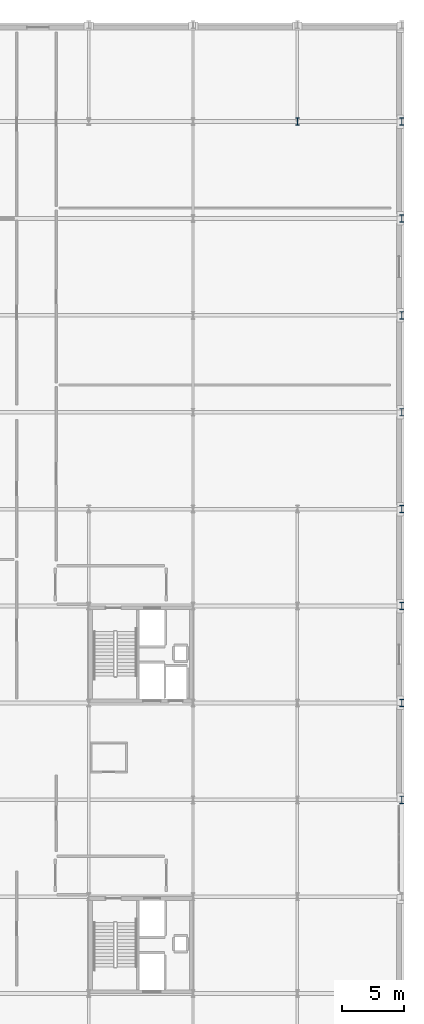
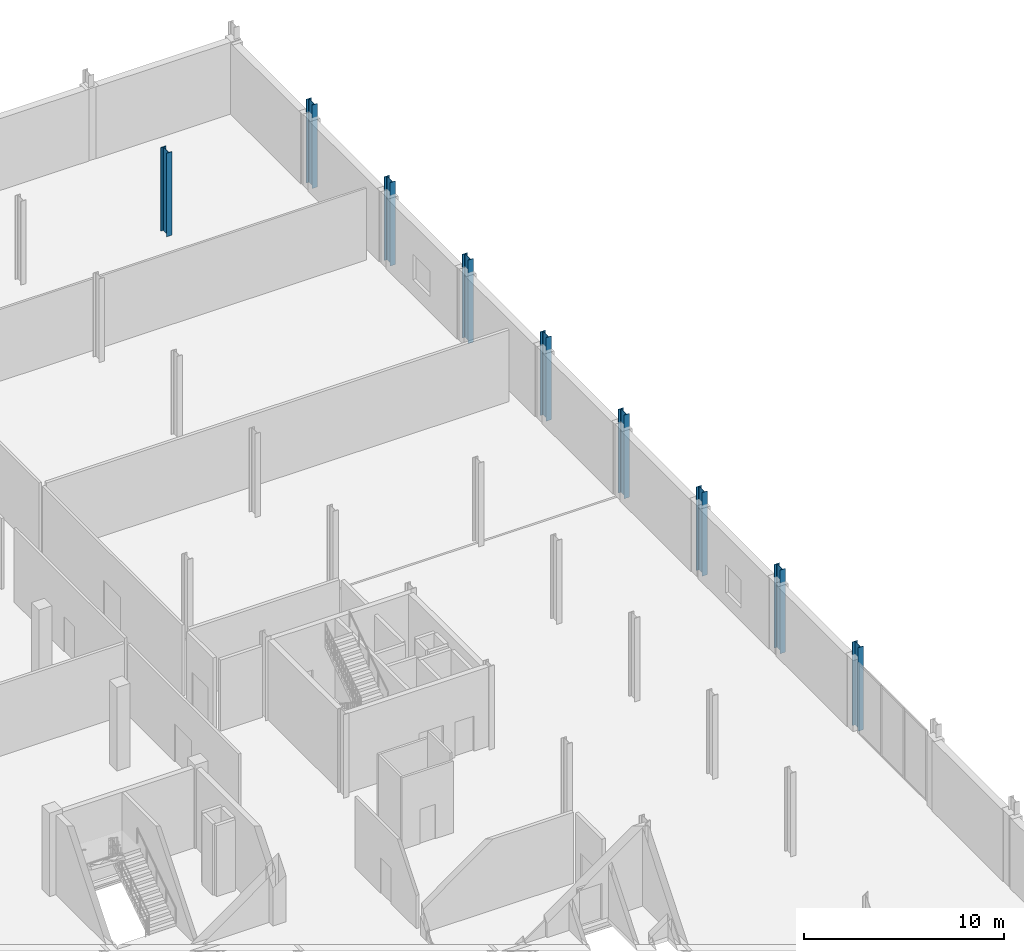
# One storey, part 24 of 105: 9 columns.
"""IFC4 building model written with IfcOpenShell, lengths in metres."""

from ifc_helpers import new_model, si_unit, direction, frame, origin, origin_2d, place, context, subcontext, project, spatial, i_section, extrude, material, material_profile, profile_set, type_object, element, save


model = new_model("IFC4")

# Units and contexts
model_context = context("Model", 3, precision=1e-05, world=origin(), true_north=direction((0.0, 1.0)))
body_context = subcontext(model_context, "Body", "Model", "MODEL_VIEW")
ifc_project = project(units=[si_unit("LENGTHUNIT", "METRE"), si_unit("AREAUNIT", "SQUARE_METRE"), si_unit("VOLUMEUNIT", "CUBIC_METRE"), si_unit("PLANEANGLEUNIT", "RADIAN"), si_unit("MASSUNIT", "GRAM", prefix="KILO")], contexts=[model_context])

# Site, building, storey
site_placement = place(None, origin())
site = spatial("IfcSite", under=ifc_project, at=site_placement, CompositionType="ELEMENT")
building_placement = place(site_placement, origin())
building = spatial("IfcBuilding", under=site, at=building_placement, Name="Nabrawat Pavilion Hospital", CompositionType="ELEMENT")
storey_placement = place(building_placement, frame((0.0, 0.0, 5.10009765625)))
storey = spatial("IfcBuildingStorey", under=building, at=storey_placement, Name="L01", CompositionType="ELEMENT", Elevation=5.10009765625)

# Columns
ifc_material = material(Name="Steel S355", Category="steel")
ifc_material_profile = material_profile(ifc_material, i_section(OverallWidth=0.300048828125, OverallDepth=0.60009765625, WebThickness=0.015380859375, FlangeThickness=0.030029296875, FilletRadius=0.027099609375, at=origin_2d()), Name="HEB 600")
ifc_profile_set = profile_set([ifc_material_profile], Name="Steel S355")
column_type = type_object("IfcColumnType", Name="Composite Steel Column HEB 600", PredefinedType="COLUMN", material=ifc_profile_set)
for number, where, z_axis, x_axis, name in (
    (1, (184.800048828125, 117.0, 0.0), (0.0, 0.0, 1.0), (1.0, 0.0, 0.0), "L01 Structural Column G-23-R"),
    (2, (193.199951171875, 62.39990234375, 0.0), (0.0, 0.0, 1.0), (1.0, 0.0, 0.0), "L01 Structural Column G-24-J"),
    (3, (193.199951171875, 70.199951171875, 0.0), (0.0, 0.0, 1.0), (1.0, 0.0, 0.0), "L01 Structural Column G-24-K"),
    (4, (193.199951171875, 78.0, 0.0), (0.0, 0.0, 1.0), (1.0, 0.0, 0.0), "L01 Structural Column G-24-L"),
    (5, (193.199951171875, 85.800048828125, 0.0), (0.0, 0.0, 1.0), (1.0, 0.0, 0.0), "L01 Structural Column G-24-M1"),
    (6, (193.199951171875, 93.60009765625, 0.0), (0.0, 0.0, 1.0), (1.0, 0.0, 0.0), "L01 Structural Column G-24-N"),
    (7, (193.199951171875, 101.39990234375, 0.0), (0.0, 0.0, 1.0), (1.0, 0.0, 0.0), "L01 Structural Column G-24-P"),
    (8, (193.199951171875, 109.199951171875, 0.0), (0.0, 0.0, 1.0), (1.0, 0.0, 0.0), "L01 Structural Column G-24-Q"),
    (9, (193.199951171875, 117.0, 0.0), (0.0, 0.0, 1.0), (1.0, 0.0, 0.0), "L01 Structural Column G-24-R"),
):
    element("IfcColumn", number, at=place(storey_placement, frame(where, z_axis=z_axis, x_axis=x_axis)), inside=storey, type_object=column_type, Name=name, PredefinedType="COLUMN", context=body_context, shape_type="SweptSolid", body=[
        extrude(i_section(OverallWidth=0.300048828125, OverallDepth=0.60009765625, WebThickness=0.015380859375, FlangeThickness=0.030029296875, FilletRadius=0.027099609375, at=origin_2d()), origin(), (0.0, 0.0, 1.0), 5.099853515625),
    ])

save(model, "model.ifc")
